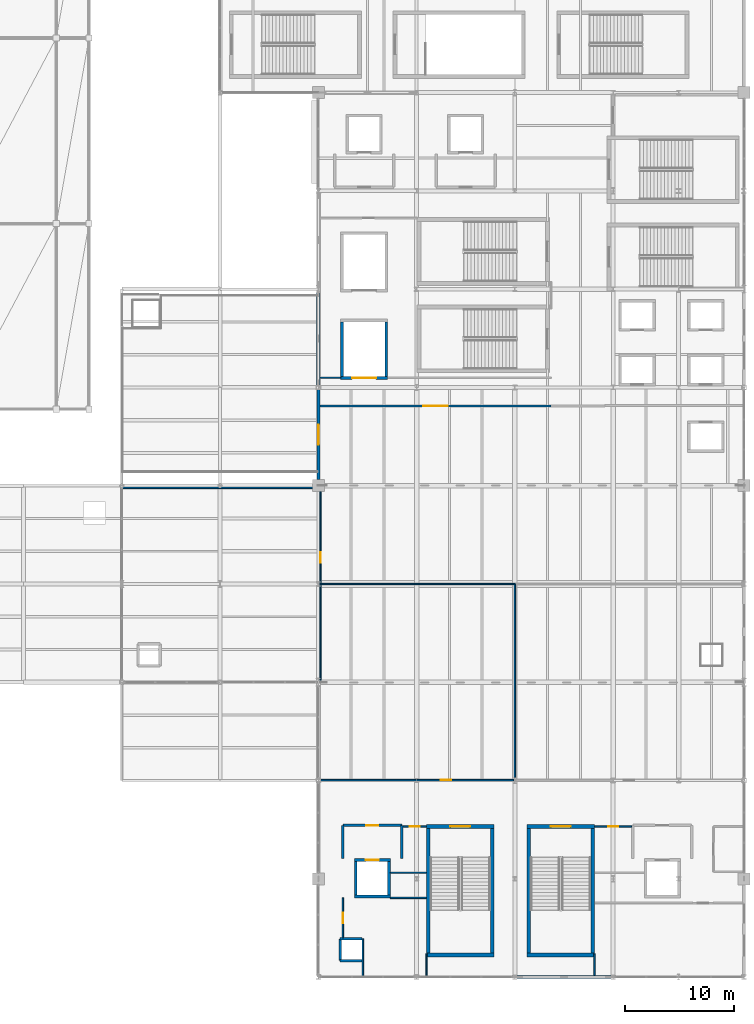
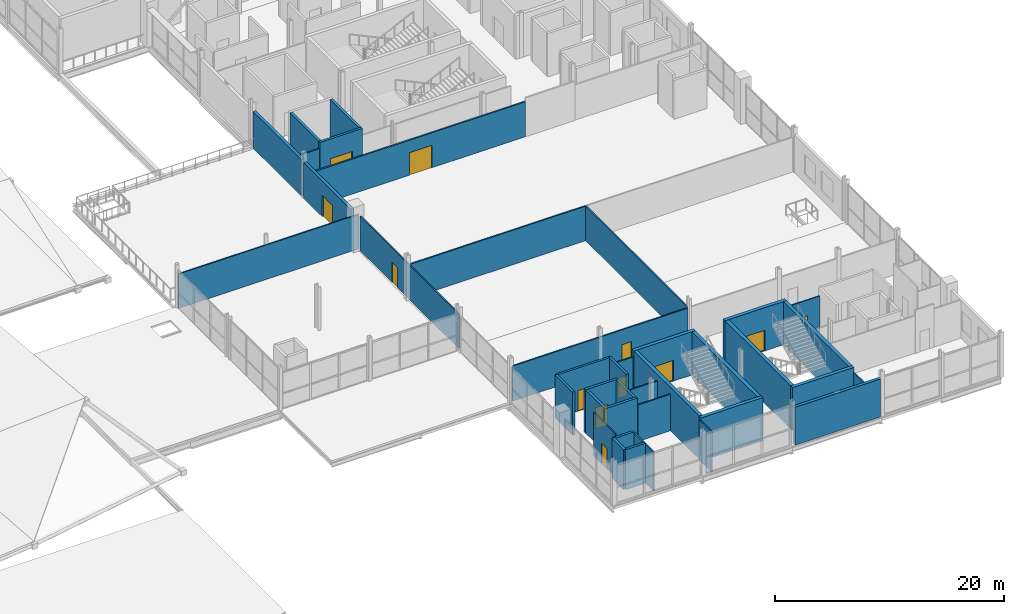
# One storey, part 50 of 69: 39 walls, 12 doors, 12 openings.
"""IFC4 building model written with IfcOpenShell, lengths in metres."""

from ifc_helpers import new_model, si_unit, direction, frame, frame_2d, origin, place, context, subcontext, project, spatial, rectangle, extrude, material, layer, layer_set, type_object, element, fill, save


model = new_model("IFC4")

# Units and contexts
model_context = context("Model", 3, precision=1e-05, world=origin(), true_north=direction((0.0, 1.0)))
body_context = subcontext(model_context, "Body", "Model", "MODEL_VIEW")
ifc_project = project(units=[si_unit("LENGTHUNIT", "METRE"), si_unit("AREAUNIT", "SQUARE_METRE"), si_unit("VOLUMEUNIT", "CUBIC_METRE"), si_unit("PLANEANGLEUNIT", "RADIAN"), si_unit("MASSUNIT", "GRAM", prefix="KILO")], contexts=[model_context])

# Site, building, storey
site_placement = place(None, origin())
site = spatial("IfcSite", under=ifc_project, at=site_placement, CompositionType="ELEMENT")
building_placement = place(site_placement, origin())
building = spatial("IfcBuilding", under=site, at=building_placement, Name="Qamarlyn Nura Convention Centre", CompositionType="ELEMENT")
storey_placement = place(building_placement, frame((0.0, 0.0, 15.60009765625)))
storey = spatial("IfcBuildingStorey", under=building, at=storey_placement, Name="L03", CompositionType="ELEMENT", Elevation=15.60009765625)

# Wall, opening, door
ifc_material_1 = material(Name="Fire-rated acoustic gypsum board and mineral wool EI 120")
ifc_layer_1 = layer(ifc_material_1, 0.219970703125, Name="WT-COMP-220")
ifc_layer_set_1 = layer_set([ifc_layer_1], Name="Fire-rated acoustic gypsum board and mineral wool EI 120")
wall_type_1 = type_object("IfcWallType", Name="WT-COMP-220", PredefinedType="SOLIDWALL", material=ifc_layer_set_1)
wall_1_placement = place(storey_placement, frame((155.25, 13.89990234375, 0.0), z_axis=(0.0, 0.0, 1.0), x_axis=(1.0, 0.0, 0.0)))
wall_1 = element("IfcWall", 1, at=wall_1_placement, inside=storey, type_object=wall_type_1, Name="L03 firefighting lobby barrier wall FFL-01-OPP", PredefinedType="SOLIDWALL", context=body_context, shape_type="SweptSolid", body=[
    extrude(rectangle(XDim=5.39990234375, YDim=0.219970703125, at=frame_2d((2.699951171875, 0.0))), origin(), (0.0, 0.0, 1.0), 4.599853515625),
])
opening_1_placement = place(wall_1_placement, frame((2.139892578125, 0.0, 0.0)))
opening_1 = element("IfcOpeningElement", 2, at=opening_1_placement, cuts=wall_1, Name="Opening DF-107", PredefinedType="OPENING", context=body_context, shape_type="SweptSolid", body=[
    extrude(rectangle(XDim=1.1201171875, YDim=2.199951171875, at=frame_2d((0.56005859375, 1.10009765625))), frame((0.0, 0.1201171875, 0.0), z_axis=(0.0, -1.0, 0.0), x_axis=(1.0, 0.0, 0.0)), (0.0, 0.0, 1.0), 0.239990234375),
])
ifc_material_2 = material(Name="Galvanised fire-rated hollow steel door", Category="steel")
door_type_1 = type_object("IfcDoorType", Name="DR-FFL-1120", OperationType="NOTDEFINED", PredefinedType="DOOR", material=ifc_material_2)
door_1_placement = place(opening_1_placement, origin())
door_1 = element("IfcDoor", 3, at=door_1_placement, inside=storey, type_object=door_type_1, Name="L03 firefighting lobby door FFL-01 (DF-107)", OperationType="SINGLE_SWING_LEFT", OverallHeight=2.199951171875, OverallWidth=1.1201171875, PredefinedType="DOOR", context=body_context, shape_type="SweptSolid", body=[
    extrude(rectangle(XDim=1.1201171875, YDim=2.199951171875, at=frame_2d((0.56005859375, 1.10009765625))), frame((0.0, 0.02490234375, 0.0), z_axis=(0.0, -1.0, 0.0), x_axis=(1.0, 0.0, 0.0)), (0.0, 0.0, 1.0), 0.050048828125),
])
fill(opening_1, door_1)

# Walls
for number, where, z_axis, x_axis, name in (
    (4, (155.25, 10.85009765625, 0.0), (0.0, 0.0, 1.0), (0.0, 1.0, 0.0), "L03 firefighting lobby barrier wall FFL-01-W"),
    (5, (160.64990234375, 10.85009765625, 0.0), (0.0, 0.0, 1.0), (0.0, 1.0, 0.0), "L03 firefighting lobby barrier wall FFL-01-E"),
):
    element("IfcWall", number, at=place(storey_placement, frame(where, z_axis=z_axis, x_axis=x_axis)), inside=storey, type_object=wall_type_1, Name=name, PredefinedType="SOLIDWALL", context=body_context, shape_type="SweptSolid", body=[
        extrude(rectangle(XDim=3.0498046875, YDim=0.219970703125, at=frame_2d((1.52490234375, 0.0))), origin(), (0.0, 0.0, 1.0), 4.599853515625),
    ])
ifc_material_3 = material(Name="Concrete C50/60", Category="concrete")
ifc_layer_2 = layer(ifc_material_3, 0.35009765625, Name="WT-CORE-350")
ifc_layer_set_2 = layer_set([ifc_layer_2], Name="Concrete C50/60")
wall_type_2 = type_object("IfcWallType", Name="WT-CORE-350", PredefinedType="SHEAR", material=ifc_layer_set_2)
wall_2_placement = place(storey_placement, frame((162.89990234375, 2.02490234375, 0.0), z_axis=(0.0, 0.0, 1.0), x_axis=(1.0, 0.0, 0.0)))
element("IfcWall", 6, at=wall_2_placement, inside=storey, type_object=wall_type_2, Name="L03 stair core shear wall ST-09-S", PredefinedType="SHEAR", context=body_context, shape_type="SweptSolid", body=[
    extrude(rectangle(XDim=6.2001953125, YDim=0.35009765625, at=frame_2d((3.10009765625, 0.0))), origin(), (0.0, 0.0, 1.0), 4.599853515625),
])

# Wall, opening, door
wall_3_placement = place(storey_placement, frame((169.10009765625, 13.77490234375, 0.0), z_axis=(0.0, 0.0, 1.0), x_axis=(-1.0, 0.0, 0.0)))
wall_3 = element("IfcWall", 7, at=wall_3_placement, inside=storey, type_object=wall_type_2, Name="L03 stair core shear wall ST-09-N", PredefinedType="SHEAR", context=body_context, shape_type="SweptSolid", body=[
    extrude(rectangle(XDim=6.2001953125, YDim=0.35009765625, at=frame_2d((3.10009765625, 0.0))), origin(), (0.0, 0.0, 1.0), 4.599853515625),
])
opening_2_placement = place(wall_3_placement, frame((2.199951171875, 0.0, 0.0)))
opening_2 = element("IfcOpeningElement", 8, at=opening_2_placement, cuts=wall_3, Name="Opening DS-033", PredefinedType="OPENING", context=body_context, shape_type="SweptSolid", body=[
    extrude(rectangle(XDim=1.800048828125, YDim=2.199951171875, at=frame_2d((0.89990234375, 1.10009765625))), frame((0.0, 0.18505859375, 0.0), z_axis=(0.0, -1.0, 0.0), x_axis=(1.0, 0.0, 0.0)), (0.0, 0.0, 1.0), 0.3701171875),
])
door_type_2 = type_object("IfcDoorType", Name="DR-STAIR-1800", OperationType="DOUBLE_DOOR_SINGLE_SWING", PredefinedType="DOOR", material=ifc_material_2)
door_2_placement = place(opening_2_placement, origin())
door_2 = element("IfcDoor", 9, at=door_2_placement, inside=storey, type_object=door_type_2, Name="L03 exit stair door ST-09 (DS-033)", OperationType="DOUBLE_DOOR_SINGLE_SWING", OverallHeight=2.199951171875, OverallWidth=1.800048828125, PredefinedType="DOOR", context=body_context, shape_type="SweptSolid", body=[
    extrude(rectangle(XDim=1.800048828125, YDim=2.199951171875, at=frame_2d((0.89990234375, 1.10009765625))), frame((0.0, 0.02490234375, 0.0), z_axis=(0.0, -1.0, 0.0), x_axis=(1.0, 0.0, 0.0)), (0.0, 0.0, 1.0), 0.050048828125),
])
fill(opening_2, door_2)

# Walls
for number, where, z_axis, x_axis, name in (
    (10, (163.074951171875, 13.60009765625, 0.0), (0.0, 0.0, 1.0), (0.0, -1.0, 0.0), "L03 stair core shear wall ST-09-W"),
    (11, (168.925048828125, 2.199951171875, 0.0), (0.0, 0.0, 1.0), (0.0, 1.0, 0.0), "L03 stair core shear wall ST-09-E"),
):
    element("IfcWall", number, at=place(storey_placement, frame(where, z_axis=z_axis, x_axis=x_axis)), inside=storey, type_object=wall_type_2, Name=name, PredefinedType="SHEAR", context=body_context, shape_type="SweptSolid", body=[
        extrude(rectangle(XDim=11.400146484375, YDim=0.35009765625, at=frame_2d((5.7001953125, 0.0))), origin(), (0.0, 0.0, 1.0), 4.599853515625),
    ])
wall_4_placement = place(storey_placement, frame((172.10009765625, 2.02490234375, 0.0), z_axis=(0.0, 0.0, 1.0), x_axis=(1.0, 0.0, 0.0)))
element("IfcWall", 12, at=wall_4_placement, inside=storey, type_object=wall_type_2, Name="L03 stair core shear wall ST-10-S", PredefinedType="SHEAR", context=body_context, shape_type="SweptSolid", body=[
    extrude(rectangle(XDim=6.199951171875, YDim=0.35009765625, at=frame_2d((3.10009765625, 0.0))), origin(), (0.0, 0.0, 1.0), 4.599853515625),
])

# Wall, opening, door
wall_5_placement = place(storey_placement, frame((178.300048828125, 13.77490234375, 0.0), z_axis=(0.0, 0.0, 1.0), x_axis=(-1.0, 0.0, 0.0)))
wall_5 = element("IfcWall", 13, at=wall_5_placement, inside=storey, type_object=wall_type_2, Name="L03 stair core shear wall ST-10-N", PredefinedType="SHEAR", context=body_context, shape_type="SweptSolid", body=[
    extrude(rectangle(XDim=6.199951171875, YDim=0.35009765625, at=frame_2d((3.10009765625, 0.0))), origin(), (0.0, 0.0, 1.0), 4.599853515625),
])
opening_3_placement = place(wall_5_placement, frame((2.199951171875, 0.0, 0.0)))
opening_3 = element("IfcOpeningElement", 14, at=opening_3_placement, cuts=wall_5, Name="Opening DS-040", PredefinedType="OPENING", context=body_context, shape_type="SweptSolid", body=[
    extrude(rectangle(XDim=1.800048828125, YDim=2.199951171875, at=frame_2d((0.89990234375, 1.10009765625))), frame((0.0, 0.18505859375, 0.0), z_axis=(0.0, -1.0, 0.0), x_axis=(1.0, 0.0, 0.0)), (0.0, 0.0, 1.0), 0.3701171875),
])
door_3_placement = place(opening_3_placement, origin())
door_3 = element("IfcDoor", 15, at=door_3_placement, inside=storey, type_object=door_type_2, Name="L03 exit stair door ST-10 (DS-040)", OperationType="DOUBLE_DOOR_SINGLE_SWING", OverallHeight=2.199951171875, OverallWidth=1.800048828125, PredefinedType="DOOR", context=body_context, shape_type="SweptSolid", body=[
    extrude(rectangle(XDim=1.800048828125, YDim=2.199951171875, at=frame_2d((0.89990234375, 1.10009765625))), frame((0.0, 0.02490234375, 0.0), z_axis=(0.0, -1.0, 0.0), x_axis=(1.0, 0.0, 0.0)), (0.0, 0.0, 1.0), 0.050048828125),
])
fill(opening_3, door_3)

# Walls
for number, where, z_axis, x_axis, name in (
    (16, (172.27490234375, 13.60009765625, 0.0), (0.0, 0.0, 1.0), (0.0, -1.0, 0.0), "L03 stair core shear wall ST-10-W"),
    (17, (178.125, 2.199951171875, 0.0), (0.0, 0.0, 1.0), (0.0, 1.0, 0.0), "L03 stair core shear wall ST-10-E"),
):
    element("IfcWall", number, at=place(storey_placement, frame(where, z_axis=z_axis, x_axis=x_axis)), inside=storey, type_object=wall_type_2, Name=name, PredefinedType="SHEAR", context=body_context, shape_type="SweptSolid", body=[
        extrude(rectangle(XDim=11.400146484375, YDim=0.35009765625, at=frame_2d((5.7001953125, 0.0))), origin(), (0.0, 0.0, 1.0), 4.599853515625),
    ])

# Wall, opening, door
ifc_material_4 = material(Name="Concrete C40/50", Category="concrete")
ifc_layer_3 = layer(ifc_material_4, 0.280029296875, Name="WT-EXT-280")
ifc_layer_set_3 = layer_set([ifc_layer_3], Name="Concrete C40/50")
wall_type_3 = type_object("IfcWallType", Name="WT-EXT-280", PredefinedType="SOLIDWALL", material=ifc_layer_set_3)
wall_6_placement = place(storey_placement, frame((153.0, 45.550048828125, 0.0), z_axis=(0.0, 0.0, 1.0), x_axis=(0.0, 1.0, 0.0)))
wall_6 = element("IfcWall", 18, at=wall_6_placement, inside=storey, type_object=wall_type_3, Name="L03 exterior facade wall WEXT-L03-1530-456-1530-538", PredefinedType="SOLIDWALL", context=body_context, shape_type="SweptSolid", body=[
    extrude(rectangle(XDim=8.25, YDim=0.280029296875, at=frame_2d((4.125, 0.0))), origin(), (0.0, 0.0, 1.0), 3.81201171875),
])
opening_4_placement = place(wall_6_placement, frame((3.215087890625, 0.0, 0.0)))
opening_4 = element("IfcOpeningElement", 19, at=opening_4_placement, cuts=wall_6, Name="Opening DT-L03-46", PredefinedType="OPENING", context=body_context, shape_type="SweptSolid", body=[
    extrude(rectangle(XDim=1.820068359375, YDim=2.25, at=frame_2d((0.91015625, 1.125))), frame((0.0, 0.14990234375, 0.0), z_axis=(0.0, -1.0, 0.0), x_axis=(1.0, 0.0, 0.0)), (0.0, 0.0, 1.0), 0.300048828125),
])
ifc_material_5 = material(Name="Champagne-anodised marine aluminium", Category="aluminium")
door_type_3 = type_object("IfcDoorType", Name="DR-TERR-1820", OperationType="DOUBLE_DOOR_SINGLE_SWING", PredefinedType="DOOR", material=ifc_material_5)
door_4_placement = place(opening_4_placement, origin())
door_4 = element("IfcDoor", 20, at=door_4_placement, inside=storey, type_object=door_type_3, Name="L03 terrace access door DT-L03-46", OperationType="DOUBLE_DOOR_SINGLE_SWING", OverallHeight=2.25, OverallWidth=1.820068359375, PredefinedType="DOOR", context=body_context, shape_type="SweptSolid", body=[
    extrude(rectangle(XDim=1.820068359375, YDim=2.25, at=frame_2d((0.91015625, 1.125))), frame((0.0, 0.02490234375, 0.0), z_axis=(0.0, -1.0, 0.0), x_axis=(1.0, 0.0, 0.0)), (0.0, 0.0, 1.0), 0.050048828125),
])
fill(opening_4, door_4)

# Walls
ifc_material_6 = material(Name="Concrete C40/50 with UAE coastal limestone stone facing", Category="masonry")
ifc_layer_4 = layer(ifc_material_6, 0.300048828125, Name="WT-LIME-300")
ifc_layer_set_4 = layer_set([ifc_layer_4], Name="Concrete C40/50 with UAE coastal limestone stone facing")
wall_type_4 = type_object("IfcWallType", Name="WT-LIME-300", PredefinedType="SOLIDWALL", material=ifc_layer_set_4)
wall_7_placement = place(storey_placement, frame((179.8154296875, 0.0, 0.0), z_axis=(0.0, 0.0, 1.0), x_axis=(-1.0, 0.0, 0.0)))
element("IfcWall", 21, at=wall_7_placement, inside=storey, type_object=wall_type_4, Name="L03 exterior facade wall WEXT-L03-1798-0-1712-0", PredefinedType="SOLIDWALL", context=body_context, shape_type="SweptSolid", body=[
    extrude(rectangle(XDim=8.62841796875, YDim=0.300048828125, at=frame_2d((4.314208984375, 0.0))), origin(), (0.0, 0.0, 1.0), 4.0458984375),
])
wall_8_placement = place(storey_placement, frame((153.0, 54.199951171875, 0.0), z_axis=(0.0, 0.0, 1.0), x_axis=(0.0, 1.0, 0.0)))
element("IfcWall", 22, at=wall_8_placement, inside=storey, type_object=wall_type_4, Name="L03 exterior facade wall WEXT-L03-1530-542-1530-627", PredefinedType="SOLIDWALL", context=body_context, shape_type="SweptSolid", body=[
    extrude(rectangle(XDim=8.45263671875, YDim=0.300048828125, at=frame_2d((4.226318359375, 0.0))), origin(), (0.0, 0.0, 1.0), 3.889892578125),
])

# Wall, opening, door
ifc_material_7 = material(Name="Acoustic double-stud gypsum partition")
ifc_layer_5 = layer(ifc_material_7, 0.1201171875, Name="WT-PART-120")
ifc_layer_set_5 = layer_set([ifc_layer_5], Name="Acoustic double-stud gypsum partition")
wall_type_5 = type_object("IfcWallType", Name="WT-PART-120", PredefinedType="PARTITIONING", material=ifc_layer_set_5)
wall_9_placement = place(storey_placement, frame((160.760009765625, 13.77490234375, 0.0), z_axis=(0.0, 0.0, 1.0), x_axis=(1.0, 0.0, 0.0)))
wall_9 = element("IfcWall", 23, at=wall_9_placement, inside=storey, type_object=wall_type_5, Name="L03 interior partition L03-WC-M-L03-18-1", PredefinedType="PARTITIONING", context=body_context, shape_type="SweptSolid", body=[
    extrude(rectangle(XDim=2.139892578125, YDim=0.1201171875, at=frame_2d((1.06982421875, 0.0))), origin(), (0.0, 0.0, 1.0), 3.90087890625),
])
opening_5_placement = place(wall_9_placement, frame((0.610107421875, 0.0, 0.0)))
opening_5 = element("IfcOpeningElement", 24, at=opening_5_placement, cuts=wall_9, Name="Opening D-L03-191", PredefinedType="OPENING", context=body_context, shape_type="SweptSolid", body=[
    extrude(rectangle(XDim=0.919921875, YDim=2.1201171875, at=frame_2d((0.4599609375, 1.06005859375))), frame((0.0, 0.070068359375, 0.0), z_axis=(0.0, -1.0, 0.0), x_axis=(1.0, 0.0, 0.0)), (0.0, 0.0, 1.0), 0.14013671875),
])
ifc_material_8 = material(Name="Acoustic walnut timber leaf", Category="wood")
door_type_4 = type_object("IfcDoorType", Name="DR-WC-STD-092", OperationType="NOTDEFINED", PredefinedType="DOOR", material=ifc_material_8)
door_5_placement = place(opening_5_placement, origin())
door_5 = element("IfcDoor", 25, at=door_5_placement, inside=storey, type_object=door_type_4, Name="L03 Male WC L03 door D-L03-191", OperationType="SINGLE_SWING_LEFT", OverallHeight=2.1201171875, OverallWidth=0.919921875, PredefinedType="DOOR", context=body_context, shape_type="SweptSolid", body=[
    extrude(rectangle(XDim=0.919921875, YDim=2.1201171875, at=frame_2d((0.4599609375, 1.06005859375))), frame((0.0, 0.02490234375, 0.0), z_axis=(0.0, -1.0, 0.0), x_axis=(1.0, 0.0, 0.0)), (0.0, 0.0, 1.0), 0.050048828125),
])
fill(opening_5, door_5)

# Wall
wall_10_placement = place(storey_placement, frame((162.89990234375, 9.550048828125, 0.0), z_axis=(0.0, 0.0, 1.0), x_axis=(-1.0, 0.0, 0.0)))
element("IfcWall", 26, at=wall_10_placement, inside=storey, type_object=wall_type_5, Name="L03 interior partition L03-WC-M-L03-24-1", PredefinedType="PARTITIONING", context=body_context, shape_type="SweptSolid", body=[
    extrude(rectangle(XDim=3.2998046875, YDim=0.1201171875, at=frame_2d((1.64990234375, 0.0))), origin(), (0.0, 0.0, 1.0), 3.90087890625),
])

# Wall, opening, door
wall_11_placement = place(storey_placement, frame((178.300048828125, 13.77490234375, 0.0), z_axis=(0.0, 0.0, 1.0), x_axis=(1.0, 0.0, 0.0)))
wall_11 = element("IfcWall", 27, at=wall_11_placement, inside=storey, type_object=wall_type_5, Name="L03 interior partition L03-WC-F-L03-1-1", PredefinedType="PARTITIONING", context=body_context, shape_type="SweptSolid", body=[
    extrude(rectangle(XDim=3.389892578125, YDim=0.1201171875, at=frame_2d((1.69482421875, 0.0))), origin(), (0.0, 0.0, 1.0), 3.81201171875),
])
opening_6_placement = place(wall_11_placement, frame((1.235107421875, 0.0, 0.0)))
opening_6 = element("IfcOpeningElement", 28, at=opening_6_placement, cuts=wall_11, Name="Opening D-L03-192", PredefinedType="OPENING", context=body_context, shape_type="SweptSolid", body=[
    extrude(rectangle(XDim=0.919921875, YDim=2.1201171875, at=frame_2d((0.4599609375, 1.06005859375))), frame((0.0, 0.070068359375, 0.0), z_axis=(0.0, -1.0, 0.0), x_axis=(1.0, 0.0, 0.0)), (0.0, 0.0, 1.0), 0.14013671875),
])
door_6_placement = place(opening_6_placement, origin())
door_6 = element("IfcDoor", 29, at=door_6_placement, inside=storey, type_object=door_type_4, Name="L03 Female WC L03 door D-L03-192", OperationType="SINGLE_SWING_RIGHT", OverallHeight=2.1201171875, OverallWidth=0.919921875, PredefinedType="DOOR", context=body_context, shape_type="SweptSolid", body=[
    extrude(rectangle(XDim=0.919921875, YDim=2.1201171875, at=frame_2d((0.4599609375, 1.06005859375))), frame((0.0, 0.02490234375, 0.0), z_axis=(0.0, -1.0, 0.0), x_axis=(1.0, 0.0, 0.0)), (0.0, 0.0, 1.0), 0.050048828125),
])
fill(opening_6, door_6)

# Walls
wall_12_placement = place(storey_placement, frame((159.60009765625, 7.25, 0.0), z_axis=(0.0, 0.0, 1.0), x_axis=(1.0, 0.0, 0.0)))
element("IfcWall", 30, at=wall_12_placement, inside=storey, type_object=wall_type_5, Name="L03 interior partition L03-CNF-S305-8-1", PredefinedType="PARTITIONING", context=body_context, shape_type="SweptSolid", body=[
    extrude(rectangle(XDim=3.2998046875, YDim=0.1201171875, at=frame_2d((1.64990234375, 0.0))), origin(), (0.0, 0.0, 1.0), 3.889892578125),
])
wall_13_placement = place(storey_placement, frame((162.89990234375, 2.117431640625, 0.0), z_axis=(0.0, 0.0, 1.0), x_axis=(0.0, -1.0, 0.0)))
element("IfcWall", 31, at=wall_13_placement, inside=storey, type_object=wall_type_5, Name="L03 interior partition L03-CNF-S305-13-1", PredefinedType="PARTITIONING", context=body_context, shape_type="SweptSolid", body=[
    extrude(rectangle(XDim=2.10546875, YDim=0.1201171875, at=frame_2d((1.052734375, 0.0))), origin(), (0.0, 0.0, 1.0), 4.284912109375),
])
wall_14_placement = place(storey_placement, frame((157.080078125, 0.011962890625, 0.0), z_axis=(0.0, 0.0, 1.0), x_axis=(0.0, 1.0, 0.0)))
element("IfcWall", 32, at=wall_14_placement, inside=storey, type_object=wall_type_5, Name="L03 interior partition L03-CNF-S305-33-1", PredefinedType="PARTITIONING", context=body_context, shape_type="SweptSolid", body=[
    extrude(rectangle(XDim=3.488037109375, YDim=0.1201171875, at=frame_2d((1.744140625, 0.0))), origin(), (0.0, 0.0, 1.0), 4.118896484375),
])

# Wall, opening, door
wall_15_placement = place(storey_placement, frame((155.25, 3.580078125, 0.0), z_axis=(0.0, 0.0, 1.0), x_axis=(0.0, 1.0, 0.0)))
wall_15 = element("IfcWall", 33, at=wall_15_placement, inside=storey, type_object=wall_type_5, Name="L03 interior partition L03-CNF-S305-51-1", PredefinedType="PARTITIONING", context=body_context, shape_type="SweptSolid", body=[
    extrude(rectangle(XDim=3.669921875, YDim=0.1201171875, at=frame_2d((1.8349609375, 0.0))), origin(), (0.0, 0.0, 1.0), 4.599853515625),
])
opening_7_placement = place(wall_15_placement, frame((1.344970703125, 0.0, 0.0)))
opening_7 = element("IfcOpeningElement", 34, at=opening_7_placement, cuts=wall_15, Name="Opening D-L03-195", PredefinedType="OPENING", context=body_context, shape_type="SweptSolid", body=[
    extrude(rectangle(XDim=0.97998046875, YDim=2.14990234375, at=frame_2d((0.489990234375, 1.074951171875))), frame((0.0, 0.070068359375, 0.0), z_axis=(0.0, -1.0, 0.0), x_axis=(1.0, 0.0, 0.0)), (0.0, 0.0, 1.0), 0.14013671875),
])
door_type_5 = type_object("IfcDoorType", Name="DR-ROOM-0980", OperationType="NOTDEFINED", PredefinedType="DOOR", material=ifc_material_8)
door_7_placement = place(opening_7_placement, origin())
door_7 = element("IfcDoor", 35, at=door_7_placement, inside=storey, type_object=door_type_5, Name="L03 South Conference Salon 305 door D-L03-195", OperationType="SINGLE_SWING_RIGHT", OverallHeight=2.14990234375, OverallWidth=0.97998046875, PredefinedType="DOOR", context=body_context, shape_type="SweptSolid", body=[
    extrude(rectangle(XDim=0.97998046875, YDim=2.14990234375, at=frame_2d((0.489990234375, 1.074951171875))), frame((0.0, 0.02490234375, 0.0), z_axis=(0.0, -1.0, 0.0), x_axis=(1.0, 0.0, 0.0)), (0.0, 0.0, 1.0), 0.050048828125),
])
fill(opening_7, door_7)

# Walls
wall_16_placement = place(storey_placement, frame((155.050048828125, 54.889892578125, 0.0), z_axis=(0.0, 0.0, 1.0), x_axis=(-1.0, 0.0, 0.0)))
element("IfcWall", 36, at=wall_16_placement, inside=storey, type_object=wall_type_5, Name="L03 interior partition L03-RST-DELG-107-1", PredefinedType="PARTITIONING", context=body_context, shape_type="SweptSolid", body=[
    extrude(rectangle(XDim=1.900146484375, YDim=0.1201171875, at=frame_2d((0.9501953125, 0.0))), origin(), (0.0, 0.0, 1.0), 3.889892578125),
])
wall_17_placement = place(storey_placement, frame((135.011962890625, 44.800048828125, 0.0), z_axis=(0.0, 0.0, 1.0), x_axis=(1.0, 0.0, 0.0)))
element("IfcWall", 37, at=wall_17_placement, inside=storey, type_object=wall_type_5, Name="L03 interior partition L03-CNF-WEST-1-1", PredefinedType="PARTITIONING", context=body_context, shape_type="SweptSolid", body=[
    extrude(rectangle(XDim=18.18798828125, YDim=0.1201171875, at=frame_2d((9.093994140625, 0.0))), origin(), (0.0, 0.0, 1.0), 3.6728515625),
])

# Wall, opening, door
wall_18_placement = place(storey_placement, frame((153.199951171875, 44.43994140625, 0.0), z_axis=(0.0, 0.0, 1.0), x_axis=(0.0, -1.0, 0.0)))
wall_18 = element("IfcWall", 38, at=wall_18_placement, inside=storey, type_object=wall_type_5, Name="L03 interior partition L03-CNF-WEST-2-1", PredefinedType="PARTITIONING", context=body_context, shape_type="SweptSolid", body=[
    extrude(rectangle(XDim=17.239990234375, YDim=0.1201171875, at=frame_2d((8.6201171875, 0.0))), origin(), (0.0, 0.0, 1.0), 3.6728515625),
])
opening_8_placement = place(wall_18_placement, frame((5.553955078125, 0.0, 0.0)))
opening_8 = element("IfcOpeningElement", 39, at=opening_8_placement, cuts=wall_18, Name="Opening D-L03-198", PredefinedType="OPENING", context=body_context, shape_type="SweptSolid", body=[
    extrude(rectangle(XDim=0.9599609375, YDim=2.14990234375, at=frame_2d((0.47998046875, 1.074951171875))), frame((0.0, 0.070068359375, 0.0), z_axis=(0.0, -1.0, 0.0), x_axis=(1.0, 0.0, 0.0)), (0.0, 0.0, 1.0), 0.14013671875),
])
door_type_6 = type_object("IfcDoorType", Name="DR-ROOM-0960", OperationType="NOTDEFINED", PredefinedType="DOOR", material=ifc_material_8)
door_8_placement = place(opening_8_placement, origin())
door_8 = element("IfcDoor", 40, at=door_8_placement, inside=storey, type_object=door_type_6, Name="L03 Court View Conference Salon door D-L03-198", OperationType="SINGLE_SWING_LEFT", OverallHeight=2.14990234375, OverallWidth=0.9599609375, PredefinedType="DOOR", context=body_context, shape_type="SweptSolid", body=[
    extrude(rectangle(XDim=0.9599609375, YDim=2.14990234375, at=frame_2d((0.47998046875, 1.074951171875))), frame((0.0, 0.02490234375, 0.0), z_axis=(0.0, -1.0, 0.0), x_axis=(1.0, 0.0, 0.0)), (0.0, 0.0, 1.0), 0.050048828125),
])
fill(opening_8, door_8)

# Walls
ifc_layer_6 = layer(ifc_material_7, 0.135009765625, Name="WT-PART-135")
ifc_layer_set_6 = layer_set([ifc_layer_6], Name="Acoustic double-stud gypsum partition")
wall_type_6 = type_object("IfcWallType", Name="WT-PART-135", PredefinedType="PARTITIONING", material=ifc_layer_set_6)
wall_19_placement = place(storey_placement, frame((178.300048828125, 0.14990234375, 0.0), z_axis=(0.0, 0.0, 1.0), x_axis=(0.0, 1.0, 0.0)))
element("IfcWall", 41, at=wall_19_placement, inside=storey, type_object=wall_type_6, Name="L03 interior partition L03-CNF-S301-42-1", PredefinedType="PARTITIONING", context=body_context, shape_type="SweptSolid", body=[
    extrude(rectangle(XDim=1.967529296875, YDim=0.135009765625, at=frame_2d((0.98388671875, 0.0))), origin(), (0.0, 0.0, 1.0), 4.0458984375),
])
wall_20_placement = place(storey_placement, frame((153.20654296875, 36.0, 0.0), z_axis=(0.0, 0.0, 1.0), x_axis=(1.0, 0.0, 0.0)))
element("IfcWall", 42, at=wall_20_placement, inside=storey, type_object=wall_type_6, Name="L03 interior partition L03-CNF-S302-18-1", PredefinedType="PARTITIONING", context=body_context, shape_type="SweptSolid", body=[
    extrude(rectangle(XDim=17.79345703125, YDim=0.135009765625, at=frame_2d((8.896728515625, 0.0))), origin(), (0.0, 0.0, 1.0), 3.6728515625),
])
wall_21_placement = place(storey_placement, frame((171.0, 36.0, 0.0), z_axis=(0.0, 0.0, 1.0), x_axis=(0.0, -1.0, 0.0)))
element("IfcWall", 43, at=wall_21_placement, inside=storey, type_object=wall_type_6, Name="L03 interior partition L03-CNF-S302-19-1", PredefinedType="PARTITIONING", context=body_context, shape_type="SweptSolid", body=[
    extrude(rectangle(XDim=17.719970703125, YDim=0.135009765625, at=frame_2d((8.85986328125, 0.0))), origin(), (0.0, 0.0, 1.0), 3.6728515625),
])

# Wall, opening, door
wall_22_placement = place(storey_placement, frame((170.8798828125, 18.0400390625, 0.0), z_axis=(0.0, 0.0, 1.0), x_axis=(-1.0, 0.0, 0.0)))
wall_22 = element("IfcWall", 44, at=wall_22_placement, inside=storey, type_object=wall_type_6, Name="L03 interior partition L03-CNF-S302-20-1", PredefinedType="PARTITIONING", context=body_context, shape_type="SweptSolid", body=[
    extrude(rectangle(XDim=17.669921875, YDim=0.135009765625, at=frame_2d((8.8349609375, 0.0))), origin(), (0.0, 0.0, 1.0), 3.72998046875),
])
opening_9_placement = place(wall_22_placement, frame((5.714599609375, 0.0, 0.0)))
opening_9 = element("IfcOpeningElement", 45, at=opening_9_placement, cuts=wall_22, Name="Opening D-L03-199", PredefinedType="OPENING", context=body_context, shape_type="SweptSolid", body=[
    extrude(rectangle(XDim=0.93994140625, YDim=2.14990234375, at=frame_2d((0.469970703125, 1.074951171875))), frame((0.0, 0.07763671875, 0.0), z_axis=(0.0, -1.0, 0.0), x_axis=(1.0, 0.0, 0.0)), (0.0, 0.0, 1.0), 0.155029296875),
])
door_type_7 = type_object("IfcDoorType", Name="DR-ROOM-0940", OperationType="NOTDEFINED", PredefinedType="DOOR", material=ifc_material_8)
door_9_placement = place(opening_9_placement, origin())
door_9 = element("IfcDoor", 46, at=door_9_placement, inside=storey, type_object=door_type_7, Name="L03 Divisible Conference Suite 302 door D-L03-199", OperationType="SINGLE_SWING_RIGHT", OverallHeight=2.14990234375, OverallWidth=0.93994140625, PredefinedType="DOOR", context=body_context, shape_type="SweptSolid", body=[
    extrude(rectangle(XDim=0.93994140625, YDim=2.14990234375, at=frame_2d((0.469970703125, 1.074951171875))), frame((0.0, 0.02490234375, 0.0), z_axis=(0.0, -1.0, 0.0), x_axis=(1.0, 0.0, 0.0)), (0.0, 0.0, 1.0), 0.050048828125),
])
fill(opening_9, door_9)

ifc_material_9 = material(Name="Fire-rated acoustic gypsum board EI 60")
ifc_layer_7 = layer(ifc_material_9, 0.159912109375, Name="WT-PART-160")
ifc_layer_set_7 = layer_set([ifc_layer_7], Name="Fire-rated acoustic gypsum board EI 60")
wall_type_7 = type_object("IfcWallType", Name="WT-PART-160", PredefinedType="PARTITIONING", material=ifc_layer_set_7)
wall_23_placement = place(storey_placement, frame((153.139892578125, 52.31005859375, 0.0), z_axis=(0.0, 0.0, 1.0), x_axis=(1.0, 0.0, 0.0)))
wall_23 = element("IfcWall", 47, at=wall_23_placement, inside=storey, type_object=wall_type_7, Name="L03 interior partition L03-CNF-FOY3-1-1", PredefinedType="PARTITIONING", context=body_context, shape_type="SweptSolid", body=[
    extrude(rectangle(XDim=21.170166015625, YDim=0.159912109375, at=frame_2d((10.5849609375, 0.0))), origin(), (0.0, 0.0, 1.0), 3.72998046875),
])
opening_10_placement = place(wall_23_placement, frame((9.4599609375, 0.0, 0.0)))
opening_10 = element("IfcOpeningElement", 48, at=opening_10_placement, cuts=wall_23, Name="Opening D-L03-202", PredefinedType="OPENING", context=body_context, shape_type="SweptSolid", body=[
    extrude(rectangle(XDim=2.25, YDim=2.39990234375, at=frame_2d((1.125, 1.199951171875))), frame((0.0, 0.08984375, 0.0), z_axis=(0.0, -1.0, 0.0), x_axis=(1.0, 0.0, 0.0)), (0.0, 0.0, 1.0), 0.179931640625),
])
door_type_8 = type_object("IfcDoorType", Name="DR-HALL-2250", OperationType="DOUBLE_DOOR_SINGLE_SWING", PredefinedType="DOOR", material=ifc_material_8)
door_10_placement = place(opening_10_placement, origin())
door_10 = element("IfcDoor", 49, at=door_10_placement, inside=storey, type_object=door_type_8, Name="L03 Conference Pre-function Foyer L03 door D-L03-202", OperationType="DOUBLE_DOOR_SINGLE_SWING", OverallHeight=2.39990234375, OverallWidth=2.25, PredefinedType="DOOR", context=body_context, shape_type="SweptSolid", body=[
    extrude(rectangle(XDim=2.25, YDim=2.39990234375, at=frame_2d((1.125, 1.199951171875))), frame((0.0, 0.02490234375, 0.0), z_axis=(0.0, -1.0, 0.0), x_axis=(1.0, 0.0, 0.0)), (0.0, 0.0, 1.0), 0.050048828125),
])
fill(opening_10, door_10)

# Wall
ifc_layer_8 = layer(ifc_material_1, 0.25, Name="WT-SHAFT-250")
ifc_layer_set_8 = layer_set([ifc_layer_8], Name="Fire-rated acoustic gypsum board and mineral wool EI 120")
wall_type_8 = type_object("IfcWallType", Name="WT-SHAFT-250", PredefinedType="SOLIDWALL", material=ifc_layer_set_8)
wall_24_placement = place(storey_placement, frame((156.300048828125, 7.375, 0.0), z_axis=(0.0, 0.0, 1.0), x_axis=(1.0, 0.0, 0.0)))
element("IfcWall", 50, at=wall_24_placement, inside=storey, type_object=wall_type_8, Name="L03 lift shaft enclosure wall FFL-01 -y", PredefinedType="SOLIDWALL", context=body_context, shape_type="SweptSolid", body=[
    extrude(rectangle(XDim=3.300048828125, YDim=0.25, at=frame_2d((1.64990234375, 0.0))), origin(), (0.0, 0.0, 1.0), 4.599853515625),
])

# Wall, opening, door
wall_25_placement = place(storey_placement, frame((159.60009765625, 10.72509765625, 0.0), z_axis=(0.0, 0.0, 1.0), x_axis=(-1.0, 0.0, 0.0)))
wall_25 = element("IfcWall", 51, at=wall_25_placement, inside=storey, type_object=wall_type_8, Name="L03 lift shaft enclosure wall FFL-01 +y", PredefinedType="SOLIDWALL", context=body_context, shape_type="SweptSolid", body=[
    extrude(rectangle(XDim=3.300048828125, YDim=0.25, at=frame_2d((1.64990234375, 0.0))), origin(), (0.0, 0.0, 1.0), 4.599853515625),
])
opening_11_placement = place(wall_25_placement, frame((1.050048828125, 0.0, 0.0)))
opening_11 = element("IfcOpeningElement", 52, at=opening_11_placement, cuts=wall_25, Name="Opening LD-FFL-01-L03", PredefinedType="OPENING", context=body_context, shape_type="SweptSolid", body=[
    extrude(rectangle(XDim=1.199951171875, YDim=2.25, at=frame_2d((0.60009765625, 1.125))), frame((0.0, 0.135009765625, 0.0), z_axis=(0.0, -1.0, 0.0), x_axis=(1.0, 0.0, 0.0)), (0.0, 0.0, 1.0), 0.27001953125),
])
ifc_material_10 = material(Name="Marine Grade 316 stainless steel", Category="steel")
door_type_9 = type_object("IfcDoorType", Name="DR-LD-FFL", OperationType="DOUBLE_DOOR_SLIDING", PredefinedType="DOOR", material=ifc_material_10)
door_11_placement = place(opening_11_placement, origin())
door_11 = element("IfcDoor", 53, at=door_11_placement, inside=storey, type_object=door_type_9, Name="Lift landing door LD-FFL-01-L03", OperationType="DOUBLE_DOOR_SLIDING", OverallHeight=2.25, OverallWidth=1.199951171875, PredefinedType="DOOR", context=body_context, shape_type="SweptSolid", body=[
    extrude(rectangle(XDim=1.199951171875, YDim=2.25, at=frame_2d((0.60009765625, 1.125))), frame((0.0, 0.02490234375, 0.0), z_axis=(0.0, -1.0, 0.0), x_axis=(1.0, 0.0, 0.0)), (0.0, 0.0, 1.0), 0.050048828125),
])
fill(opening_11, door_11)

# Walls
for number, where, z_axis, x_axis, name in (
    (54, (156.425048828125, 10.60009765625, 0.0), (0.0, 0.0, 1.0), (0.0, -1.0, 0.0), "L03 lift shaft enclosure wall FFL-01 -x"),
    (55, (159.47509765625, 7.5, 0.0), (0.0, 0.0, 1.0), (0.0, 1.0, 0.0), "L03 lift shaft enclosure wall FFL-01 +x"),
):
    element("IfcWall", number, at=place(storey_placement, frame(where, z_axis=z_axis, x_axis=x_axis)), inside=storey, type_object=wall_type_8, Name=name, PredefinedType="SOLIDWALL", context=body_context, shape_type="SweptSolid", body=[
        extrude(rectangle(XDim=3.10009765625, YDim=0.25, at=frame_2d((1.550048828125, 0.0))), origin(), (0.0, 0.0, 1.0), 4.599853515625),
    ])

# Wall, opening, door
wall_26_placement = place(storey_placement, frame((155.050048828125, 54.875, 0.0), z_axis=(0.0, 0.0, 1.0), x_axis=(1.0, 0.0, 0.0)))
wall_26 = element("IfcWall", 56, at=wall_26_placement, inside=storey, type_object=wall_type_8, Name="L03 lift shaft enclosure wall FL-03 -y", PredefinedType="SOLIDWALL", context=body_context, shape_type="SweptSolid", body=[
    extrude(rectangle(XDim=4.300048828125, YDim=0.25, at=frame_2d((2.14990234375, 0.0))), origin(), (0.0, 0.0, 1.0), 4.599853515625),
])
opening_12_placement = place(wall_26_placement, frame((1.050048828125, 0.0, 0.0)))
opening_12 = element("IfcOpeningElement", 57, at=opening_12_placement, cuts=wall_26, Name="Opening LD-FL-03-L03", PredefinedType="OPENING", context=body_context, shape_type="SweptSolid", body=[
    extrude(rectangle(XDim=2.199951171875, YDim=2.5, at=frame_2d((1.10009765625, 1.25))), frame((0.0, 0.135009765625, 0.0), z_axis=(0.0, -1.0, 0.0), x_axis=(1.0, 0.0, 0.0)), (0.0, 0.0, 1.0), 0.27001953125),
])
door_type_10 = type_object("IfcDoorType", Name="DR-LD-FRT", OperationType="DOUBLE_DOOR_SLIDING", PredefinedType="DOOR", material=ifc_material_2)
door_12_placement = place(opening_12_placement, origin())
door_12 = element("IfcDoor", 58, at=door_12_placement, inside=storey, type_object=door_type_10, Name="Lift landing door LD-FL-03-L03", OperationType="DOUBLE_DOOR_SLIDING", OverallHeight=2.5, OverallWidth=2.199951171875, PredefinedType="DOOR", context=body_context, shape_type="SweptSolid", body=[
    extrude(rectangle(XDim=2.199951171875, YDim=2.5, at=frame_2d((1.10009765625, 1.25))), frame((0.0, 0.02490234375, 0.0), z_axis=(0.0, -1.0, 0.0), x_axis=(1.0, 0.0, 0.0)), (0.0, 0.0, 1.0), 0.050048828125),
])
fill(opening_12, door_12)

# Walls
for number, where, z_axis, x_axis, name in (
    (59, (155.175048828125, 60.0, 0.0), (0.0, 0.0, 1.0), (0.0, -1.0, 0.0), "L03 lift shaft enclosure wall FL-03 -x"),
    (60, (159.22509765625, 55.0, 0.0), (0.0, 0.0, 1.0), (0.0, 1.0, 0.0), "L03 lift shaft enclosure wall FL-03 +x"),
):
    element("IfcWall", number, at=place(storey_placement, frame(where, z_axis=z_axis, x_axis=x_axis)), inside=storey, type_object=wall_type_8, Name=name, PredefinedType="SOLIDWALL", context=body_context, shape_type="SweptSolid", body=[
        extrude(rectangle(XDim=5.0, YDim=0.25, at=frame_2d((2.5, 0.0))), origin(), (0.0, 0.0, 1.0), 4.599853515625),
    ])
for number, where, z_axis, x_axis, name in (
    (61, (155.0, 1.5, 0.0), (0.0, 0.0, 1.0), (1.0, 0.0, 0.0), "L03 MEP riser shaft wall 30-S"),
    (62, (157.0, 3.5, 0.0), (0.0, 0.0, 1.0), (-1.0, 0.0, 0.0), "L03 MEP riser shaft wall 30-N"),
    (63, (155.0, 3.5, 0.0), (0.0, 0.0, 1.0), (0.0, -1.0, 0.0), "L03 MEP riser shaft wall 30-W"),
):
    element("IfcWall", number, at=place(storey_placement, frame(where, z_axis=z_axis, x_axis=x_axis)), inside=storey, type_object=wall_type_8, Name=name, PredefinedType="SOLIDWALL", context=body_context, shape_type="SweptSolid", body=[
        extrude(rectangle(XDim=2.0, YDim=0.25, at=frame_2d((1.0, 0.0))), origin(), (0.0, 0.0, 1.0), 4.25),
    ])

save(model, "model.ifc")
